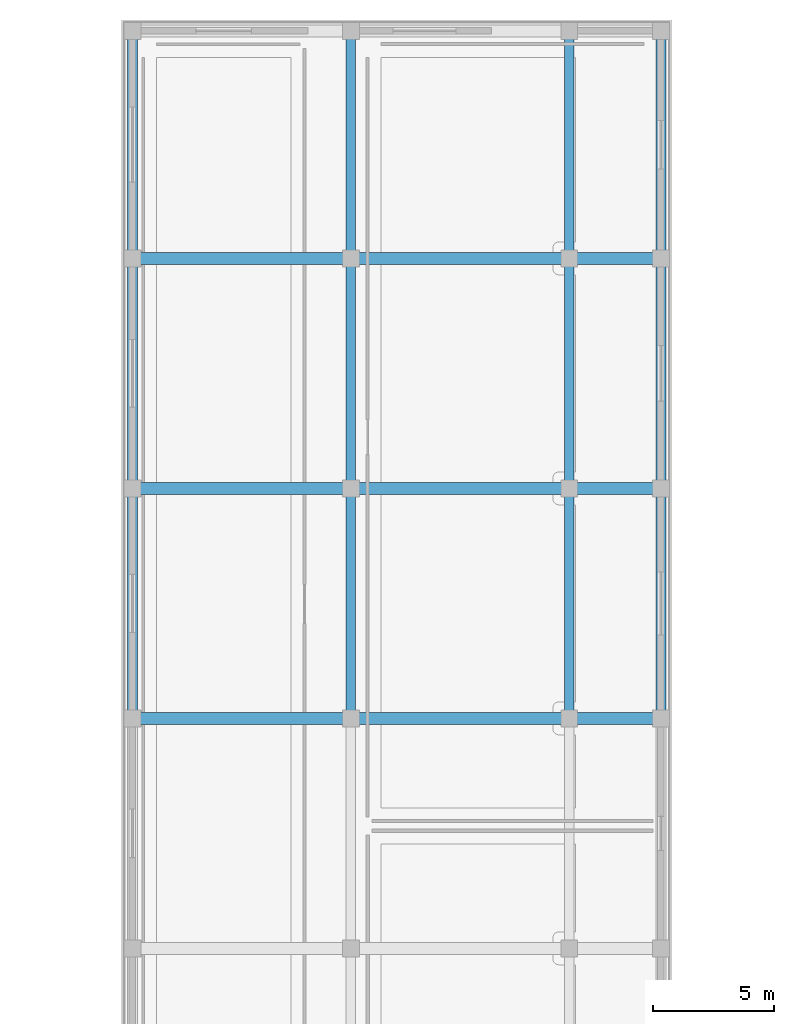
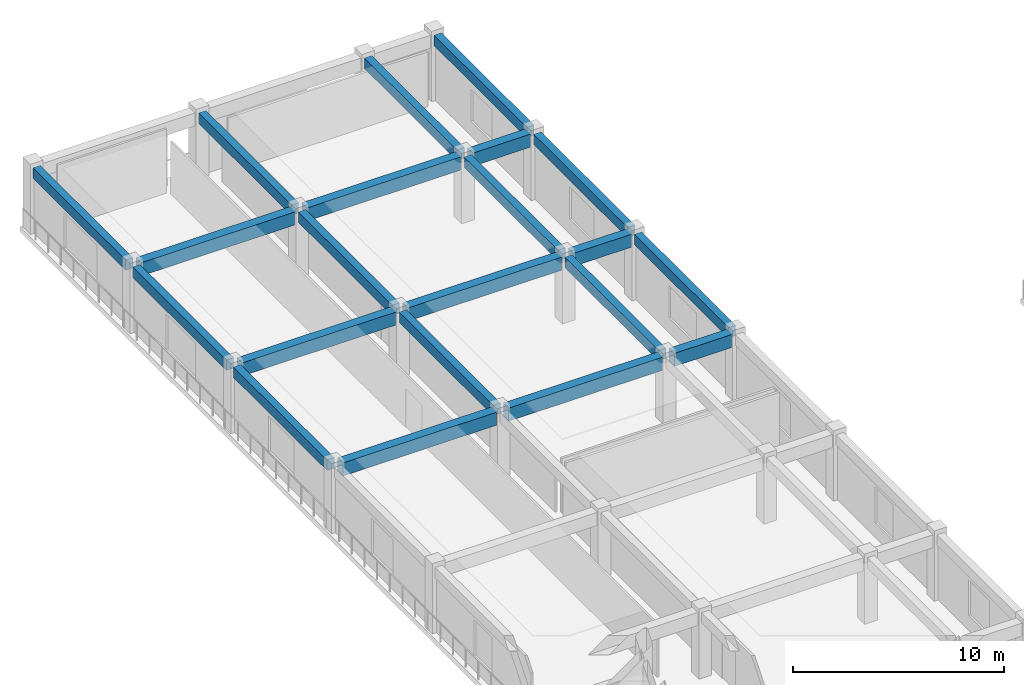
# One storey, part 40 of 83: 21 beams.
"""IFC4 building model written with IfcOpenShell, lengths in metres."""

from ifc_helpers import new_model, si_unit, direction, frame, origin, origin_2d, place, context, subcontext, project, spatial, rectangle, extrude, material, material_profile, profile_set, type_object, element, save


model = new_model("IFC4")

# Units and contexts
model_context = context("Model", 3, precision=1e-05, world=origin(), true_north=direction((0.0, 1.0)))
body_context = subcontext(model_context, "Body", "Model", "MODEL_VIEW")
ifc_project = project(units=[si_unit("LENGTHUNIT", "METRE"), si_unit("AREAUNIT", "SQUARE_METRE"), si_unit("VOLUMEUNIT", "CUBIC_METRE"), si_unit("PLANEANGLEUNIT", "RADIAN"), si_unit("MASSUNIT", "GRAM", prefix="KILO")], contexts=[model_context])

# Site, building, storey
site_placement = place(None, origin())
site = spatial("IfcSite", under=ifc_project, at=site_placement, CompositionType="ELEMENT")
building_placement = place(site_placement, origin())
building = spatial("IfcBuilding", under=site, at=building_placement, Name="Saryqyr Civic Hall", CompositionType="ELEMENT")
storey_placement = place(building_placement, frame((0.0, 0.0, 9.14990234375)))
storey = spatial("IfcBuildingStorey", under=building, at=storey_placement, Name="L02", CompositionType="ELEMENT", Elevation=9.14990234375)

# Beams
ifc_material_1 = material(Name="Concrete C35/45", Category="concrete")
ifc_material_profile_1 = material_profile(ifc_material_1, rectangle(XDim=0.39990234375, YDim=0.60009765625, at=origin_2d()), Name="RC 400x600")
ifc_profile_set_1 = profile_set([ifc_material_profile_1], Name="Concrete C35/45")
beam_type_1 = type_object("IfcBeamType", Name="STR-BM-RC400x600", PredefinedType="BEAM", material=ifc_profile_set_1)
beam_1_placement = place(storey_placement, frame((8.050048828125, 136.985107421875, 3.489990234375), z_axis=(0.0, 1.0, 0.0), x_axis=(-1.0, 0.0, 0.0)))
element("IfcBeam", 1, at=beam_1_placement, inside=storey, type_object=beam_type_1, Name="Beam V3-BM-NS-1-5-L02", PredefinedType="BEAM", context=body_context, shape_type="SweptSolid", body=[
    extrude(rectangle(XDim=0.39990234375, YDim=0.60009765625, at=origin_2d()), origin(), (0.0, 0.0, 1.0), 8.8798828125),
])
beam_2_placement = place(storey_placement, frame((8.050048828125, 146.514892578125, 3.489990234375), z_axis=(0.0, 1.0, 0.0), x_axis=(-1.0, 0.0, 0.0)))
element("IfcBeam", 2, at=beam_2_placement, inside=storey, type_object=beam_type_1, Name="Beam V3-BM-NS-1-6-L02", PredefinedType="BEAM", context=body_context, shape_type="SweptSolid", body=[
    extrude(rectangle(XDim=0.39990234375, YDim=0.60009765625, at=origin_2d()), origin(), (0.0, 0.0, 1.0), 8.880126953125),
])
beam_3_placement = place(storey_placement, frame((8.050048828125, 156.044921875, 3.489990234375), z_axis=(0.0, 1.0, 0.0), x_axis=(-1.0, 0.0, 0.0)))
element("IfcBeam", 3, at=beam_3_placement, inside=storey, type_object=beam_type_1, Name="Beam V3-BM-NS-1-7-L02", PredefinedType="BEAM", context=body_context, shape_type="SweptSolid", body=[
    extrude(rectangle(XDim=0.39990234375, YDim=0.60009765625, at=origin_2d()), origin(), (0.0, 0.0, 1.0), 8.780029296875),
])
beam_4_placement = place(storey_placement, frame((17.10009765625, 136.985107421875, 3.489990234375), z_axis=(0.0, 1.0, 0.0), x_axis=(-1.0, 0.0, 0.0)))
element("IfcBeam", 4, at=beam_4_placement, inside=storey, type_object=beam_type_1, Name="Beam V3-BM-NS-2-5-L02", PredefinedType="BEAM", context=body_context, shape_type="SweptSolid", body=[
    extrude(rectangle(XDim=0.39990234375, YDim=0.60009765625, at=origin_2d()), origin(), (0.0, 0.0, 1.0), 8.8798828125),
])
beam_5_placement = place(storey_placement, frame((17.10009765625, 146.514892578125, 3.489990234375), z_axis=(0.0, 1.0, 0.0), x_axis=(-1.0, 0.0, 0.0)))
element("IfcBeam", 5, at=beam_5_placement, inside=storey, type_object=beam_type_1, Name="Beam V3-BM-NS-2-6-L02", PredefinedType="BEAM", context=body_context, shape_type="SweptSolid", body=[
    extrude(rectangle(XDim=0.39990234375, YDim=0.60009765625, at=origin_2d()), origin(), (0.0, 0.0, 1.0), 8.880126953125),
])
beam_6_placement = place(storey_placement, frame((17.10009765625, 156.044921875, 3.489990234375), z_axis=(0.0, 1.0, 0.0), x_axis=(-1.0, 0.0, 0.0)))
element("IfcBeam", 6, at=beam_6_placement, inside=storey, type_object=beam_type_1, Name="Beam V3-BM-NS-2-7-L02", PredefinedType="BEAM", context=body_context, shape_type="SweptSolid", body=[
    extrude(rectangle(XDim=0.39990234375, YDim=0.60009765625, at=origin_2d()), origin(), (0.0, 0.0, 1.0), 8.780029296875),
])
beam_7_placement = place(storey_placement, frame((26.14990234375, 136.985107421875, 3.489990234375), z_axis=(0.0, 1.0, 0.0), x_axis=(-1.0, 0.0, 0.0)))
element("IfcBeam", 7, at=beam_7_placement, inside=storey, type_object=beam_type_1, Name="Beam V3-BM-NS-3-5-L02", PredefinedType="BEAM", context=body_context, shape_type="SweptSolid", body=[
    extrude(rectangle(XDim=0.39990234375, YDim=0.60009765625, at=origin_2d()), origin(), (0.0, 0.0, 1.0), 8.8798828125),
])
beam_8_placement = place(storey_placement, frame((26.14990234375, 146.514892578125, 3.489990234375), z_axis=(0.0, 1.0, 0.0), x_axis=(-1.0, 0.0, 0.0)))
element("IfcBeam", 8, at=beam_8_placement, inside=storey, type_object=beam_type_1, Name="Beam V3-BM-NS-3-6-L02", PredefinedType="BEAM", context=body_context, shape_type="SweptSolid", body=[
    extrude(rectangle(XDim=0.39990234375, YDim=0.60009765625, at=origin_2d()), origin(), (0.0, 0.0, 1.0), 8.880126953125),
])
beam_9_placement = place(storey_placement, frame((26.14990234375, 156.044921875, 3.489990234375), z_axis=(0.0, 1.0, 0.0), x_axis=(-1.0, 0.0, 0.0)))
element("IfcBeam", 9, at=beam_9_placement, inside=storey, type_object=beam_type_1, Name="Beam V3-BM-NS-3-7-L02", PredefinedType="BEAM", context=body_context, shape_type="SweptSolid", body=[
    extrude(rectangle(XDim=0.39990234375, YDim=0.60009765625, at=origin_2d()), origin(), (0.0, 0.0, 1.0), 8.780029296875),
])
beam_10_placement = place(storey_placement, frame((29.949951171875, 136.985107421875, 3.47998046875), z_axis=(0.0, 1.0, 0.0), x_axis=(-1.0, 0.0, 0.0)))
element("IfcBeam", 10, at=beam_10_placement, inside=storey, type_object=beam_type_1, Name="Beam V3-BM-NS-4-5-L02", PredefinedType="BEAM", context=body_context, shape_type="SweptSolid", body=[
    extrude(rectangle(XDim=0.39990234375, YDim=0.60009765625, at=origin_2d()), origin(), (0.0, 0.0, 1.0), 8.8798828125),
])
beam_11_placement = place(storey_placement, frame((29.949951171875, 146.514892578125, 3.47998046875), z_axis=(0.0, 1.0, 0.0), x_axis=(-1.0, 0.0, 0.0)))
element("IfcBeam", 11, at=beam_11_placement, inside=storey, type_object=beam_type_1, Name="Beam V3-BM-NS-4-6-L02", PredefinedType="BEAM", context=body_context, shape_type="SweptSolid", body=[
    extrude(rectangle(XDim=0.39990234375, YDim=0.60009765625, at=origin_2d()), origin(), (0.0, 0.0, 1.0), 8.880126953125),
])
beam_12_placement = place(storey_placement, frame((29.949951171875, 156.044921875, 3.47998046875), z_axis=(0.0, 1.0, 0.0), x_axis=(-1.0, 0.0, 0.0)))
element("IfcBeam", 12, at=beam_12_placement, inside=storey, type_object=beam_type_1, Name="Beam V3-BM-NS-4-7-L02", PredefinedType="BEAM", context=body_context, shape_type="SweptSolid", body=[
    extrude(rectangle(XDim=0.39990234375, YDim=0.60009765625, at=origin_2d()), origin(), (0.0, 0.0, 1.0), 8.780029296875),
])
ifc_material_2 = material(Name="Concrete C40/50", Category="concrete")
ifc_material_profile_2 = material_profile(ifc_material_2, rectangle(XDim=0.5, YDim=0.75, at=origin_2d()), Name="RC 500x750")
ifc_profile_set_2 = profile_set([ifc_material_profile_2], Name="Concrete C40/50")
beam_type_2 = type_object("IfcBeamType", Name="STR-BM-RC500x750", PredefinedType="BEAM", material=ifc_profile_set_2)
for number, where, z_axis, x_axis, name in (
    (13, (8.375, 136.659912109375, 3.4150390625), (1.0, 0.0, 0.0), (0.0, 1.0, 0.0), "Beam V3-BM-EW-5-1-L02"),
    (14, (17.425048828125, 136.659912109375, 3.4150390625), (1.0, 0.0, 0.0), (0.0, 1.0, 0.0), "Beam V3-BM-EW-5-2-L02"),
):
    element("IfcBeam", number, at=place(storey_placement, frame(where, z_axis=z_axis, x_axis=x_axis)), inside=storey, type_object=beam_type_2, Name=name, PredefinedType="BEAM", context=body_context, shape_type="SweptSolid", body=[
        extrude(rectangle(XDim=0.5, YDim=0.75, at=origin_2d()), origin(), (0.0, 0.0, 1.0), 8.39990234375),
    ])
beam_13_placement = place(storey_placement, frame((26.47509765625, 136.659912109375, 3.405029296875), z_axis=(1.0, 0.0, 0.0), x_axis=(0.0, 1.0, 0.0)))
element("IfcBeam", 15, at=beam_13_placement, inside=storey, type_object=beam_type_2, Name="Beam V3-BM-EW-5-3-L02", PredefinedType="BEAM", context=body_context, shape_type="SweptSolid", body=[
    extrude(rectangle(XDim=0.5, YDim=0.75, at=origin_2d()), origin(), (0.0, 0.0, 1.0), 3.14990234375),
])
for number, where, z_axis, x_axis, name in (
    (16, (8.375, 146.18994140625, 3.4150390625), (1.0, 0.0, 0.0), (0.0, 1.0, 0.0), "Beam V3-BM-EW-6-1-L02"),
    (17, (17.425048828125, 146.18994140625, 3.4150390625), (1.0, 0.0, 0.0), (0.0, 1.0, 0.0), "Beam V3-BM-EW-6-2-L02"),
):
    element("IfcBeam", number, at=place(storey_placement, frame(where, z_axis=z_axis, x_axis=x_axis)), inside=storey, type_object=beam_type_2, Name=name, PredefinedType="BEAM", context=body_context, shape_type="SweptSolid", body=[
        extrude(rectangle(XDim=0.5, YDim=0.75, at=origin_2d()), origin(), (0.0, 0.0, 1.0), 8.39990234375),
    ])
beam_14_placement = place(storey_placement, frame((26.47509765625, 146.18994140625, 3.405029296875), z_axis=(1.0, 0.0, 0.0), x_axis=(0.0, 1.0, 0.0)))
element("IfcBeam", 18, at=beam_14_placement, inside=storey, type_object=beam_type_2, Name="Beam V3-BM-EW-6-3-L02", PredefinedType="BEAM", context=body_context, shape_type="SweptSolid", body=[
    extrude(rectangle(XDim=0.5, YDim=0.75, at=origin_2d()), origin(), (0.0, 0.0, 1.0), 3.14990234375),
])
for number, where, z_axis, x_axis, name in (
    (19, (8.375, 155.719970703125, 3.4150390625), (1.0, 0.0, 0.0), (0.0, 1.0, 0.0), "Beam V3-BM-EW-7-1-L02"),
    (20, (17.425048828125, 155.719970703125, 3.4150390625), (1.0, 0.0, 0.0), (0.0, 1.0, 0.0), "Beam V3-BM-EW-7-2-L02"),
):
    element("IfcBeam", number, at=place(storey_placement, frame(where, z_axis=z_axis, x_axis=x_axis)), inside=storey, type_object=beam_type_2, Name=name, PredefinedType="BEAM", context=body_context, shape_type="SweptSolid", body=[
        extrude(rectangle(XDim=0.5, YDim=0.75, at=origin_2d()), origin(), (0.0, 0.0, 1.0), 8.39990234375),
    ])
beam_15_placement = place(storey_placement, frame((26.47509765625, 155.719970703125, 3.405029296875), z_axis=(1.0, 0.0, 0.0), x_axis=(0.0, 1.0, 0.0)))
element("IfcBeam", 21, at=beam_15_placement, inside=storey, type_object=beam_type_2, Name="Beam V3-BM-EW-7-3-L02", PredefinedType="BEAM", context=body_context, shape_type="SweptSolid", body=[
    extrude(rectangle(XDim=0.5, YDim=0.75, at=origin_2d()), origin(), (0.0, 0.0, 1.0), 3.14990234375),
])

save(model, "model.ifc")
